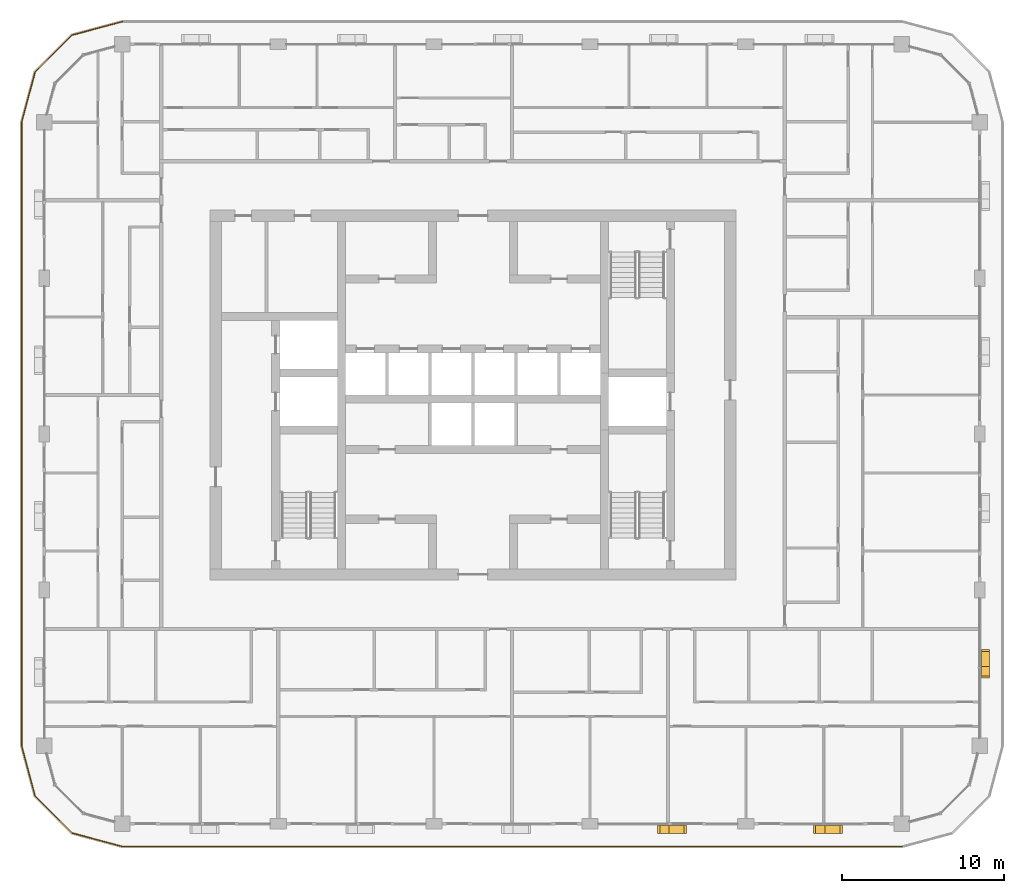
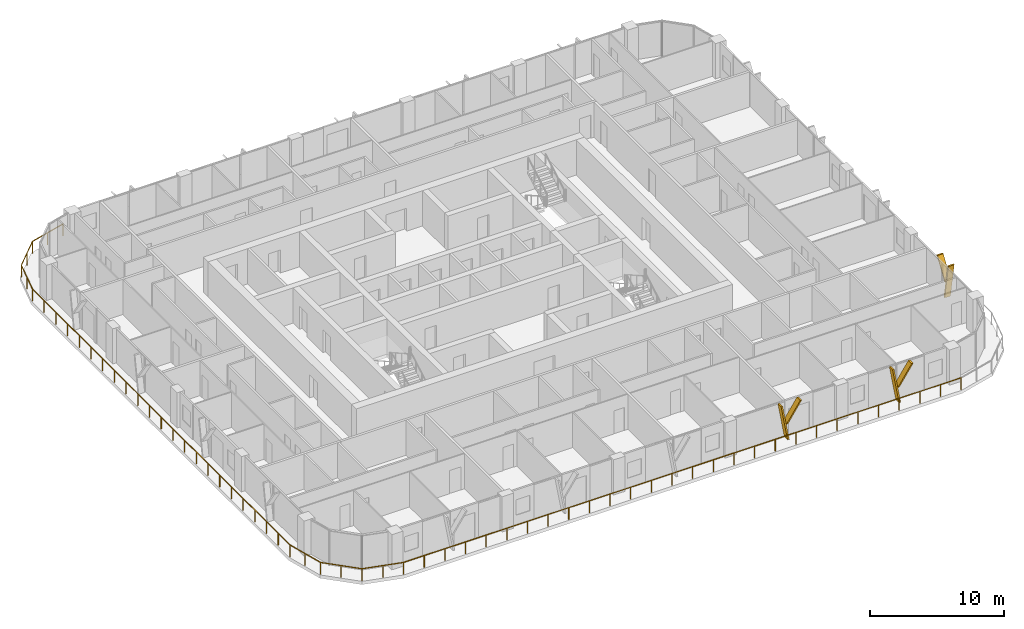
# One storey, part 18 of 21: 6 shading devices, 1 railing.
"""IFC4 building model written with IfcOpenShell, lengths in metres."""

import ifcopenshell
import ifcopenshell.guid

model = None  # the IFC model being written
_history = None  # IfcOwnerHistory: only IFC2X3 demands one
_inside = {}  # id of a spatial element -> (the spatial element, [elements in it])
_under = {}  # id of a project, library or spatial element -> (it, [spatial elements below it])
_declared = {}  # id of a project -> (the project, [libraries it declares])
_typed = {}  # id of a type object -> (the type object, [elements of that type])
_made_of = {}  # id of a material, layer set ... -> (it, [elements and type objects made of it])


def new_model(schema):
    """Start an empty IFC model of exactly this schema.

    Asked for "IFC4X3", IfcOpenShell would pick the latest addendum, in which some entities
    have other attributes; the version numbers below select the first issue.
    IFC2X3 requires an IfcOwnerHistory on every rooted entity: one is made here for all.
    """
    global model, _history
    if schema == "IFC4X3":
        model = ifcopenshell.file(schema_version=(4, 3, 0, 0))
    else:
        model = ifcopenshell.file(schema=schema)
    _inside.clear()
    _under.clear()
    _declared.clear()
    _typed.clear()
    _made_of.clear()
    _history = None
    if model.schema == "IFC2X3":
        org = make("IfcOrganization", Name="unknown")
        user = make(
            "IfcPersonAndOrganization",
            ThePerson=make("IfcPerson", FamilyName="unknown"),
            TheOrganization=org,
        )
        app = make(
            "IfcApplication",
            ApplicationDeveloper=org,
            Version="unknown",
            ApplicationFullName="unknown",
            ApplicationIdentifier="unknown",
        )
        _history = make(
            "IfcOwnerHistory",
            OwningUser=user,
            OwningApplication=app,
            ChangeAction="ADDED",
            CreationDate=0,
        )
    return model


def make(cls, **values):
    """One entity of the class cls with the attributes given. An attribute that is None is left unset."""
    return model.create_entity(
        cls, **{name: value for name, value in values.items() if value is not None}
    )


def rooted(cls, **values):
    """An entity with a GlobalId (a new one), such as an element, a storey or a relation."""
    return make(cls, GlobalId=ifcopenshell.guid.new(), OwnerHistory=_history, **values)


def si_unit(unit_type, name, prefix=None):
    """IfcSIUnit, for example si_unit("LENGTHUNIT", "METRE", prefix="MILLI")."""
    return make("IfcSIUnit", UnitType=unit_type, Prefix=prefix, Name=name)


def assignment(units):
    """IfcUnitAssignment: the units of a project."""
    return None if units is None else make("IfcUnitAssignment", Units=units)


def point(xyz):
    """IfcCartesianPoint."""
    return None if xyz is None else make("IfcCartesianPoint", Coordinates=xyz)


def direction(xyz):
    """IfcDirection."""
    return None if xyz is None else make("IfcDirection", DirectionRatios=xyz)


def frame(location, z_axis=None, x_axis=None):
    """IfcAxis2Placement3D, a coordinate frame: its origin and axes. An axis left out is left unset."""
    return make(
        "IfcAxis2Placement3D",
        Location=point(location),
        Axis=direction(z_axis),
        RefDirection=direction(x_axis),
    )


def frame_2d(location, x_axis=None):
    """IfcAxis2Placement2D, a coordinate frame in the plane: its origin and x axis."""
    return make(
        "IfcAxis2Placement2D", Location=point(location), RefDirection=direction(x_axis)
    )


def origin():
    """The frame at (0, 0, 0) with its axes left unset."""
    return frame((0.0, 0.0, 0.0))


def origin_2d():
    """The frame at (0, 0) in the plane with its x axis left unset."""
    return frame_2d((0.0, 0.0))


def place(relative_to, where):
    """IfcLocalPlacement: puts the frame where relative to a parent placement (None: the world)."""
    return make(
        "IfcLocalPlacement", PlacementRelTo=relative_to, RelativePlacement=where
    )


def context(
    kind, dimensions, precision=None, world=None, true_north=None, identifier=None
):
    """IfcGeometricRepresentationContext, for example the 3D "Model" context."""
    return make(
        "IfcGeometricRepresentationContext",
        ContextIdentifier=identifier,
        ContextType=kind,
        CoordinateSpaceDimension=dimensions,
        Precision=precision,
        WorldCoordinateSystem=world,
        TrueNorth=true_north,
    )


def subcontext(parent, identifier, kind, view, scale=None):
    """IfcGeometricRepresentationSubContext, for example "Body" below "Model"."""
    return make(
        "IfcGeometricRepresentationSubContext",
        ContextIdentifier=identifier,
        ContextType=kind,
        ParentContext=parent,
        TargetScale=scale,
        TargetView=view,
    )


def project(units=None, contexts=None):
    """IfcProject with its units and contexts."""
    return rooted(
        "IfcProject",
        Name="project",
        RepresentationContexts=contexts,
        UnitsInContext=assignment(units),
    )


def spatial(cls, under=None, at=None, **own):
    """A site, building, storey or space (cls), placed at a placement, below another one or the project."""
    s = rooted(cls, ObjectPlacement=at, **own)
    if under is not None:
        _under.setdefault(under.id(), (under, []))[1].append(s)
    return s


def polyline(points):
    """IfcPolyline through the points."""
    return make("IfcPolyline", Points=[point(p) for p in points])


def profile(cls, at=None, kind="AREA", **sizes):
    """A parametric profile (cls). Its sizes go by their IFC names, for example OverallWidth=200.0."""
    return make(cls, ProfileType=kind, Position=at, **sizes)


def circle(**sizes):
    """IfcCircleProfileDef."""
    return profile("IfcCircleProfileDef", **sizes)


def outline(outer, holes=None, kind="AREA"):
    """IfcArbitraryClosedProfileDef: a profile drawn as a closed curve; with holes, ...WithVoids."""
    if holes is None:
        return make("IfcArbitraryClosedProfileDef", ProfileType=kind, OuterCurve=outer)
    return make(
        "IfcArbitraryProfileDefWithVoids",
        ProfileType=kind,
        OuterCurve=outer,
        InnerCurves=holes,
    )


def extrude(swept, where, along, depth):
    """IfcExtrudedAreaSolid: the profile swept, set in the frame where, extruded along a direction by depth."""
    return make(
        "IfcExtrudedAreaSolid",
        SweptArea=swept,
        Position=where,
        ExtrudedDirection=direction(along),
        Depth=depth,
    )


def shape(context_of_items, identifier, shape_type, items):
    """IfcShapeRepresentation: the items that make up one representation, for example the "Body"."""
    return make(
        "IfcShapeRepresentation",
        ContextOfItems=context_of_items,
        RepresentationIdentifier=identifier,
        RepresentationType=shape_type,
        Items=items,
    )


def material(Name=None, Category=None):
    """IfcMaterial."""
    return make("IfcMaterial", Name=Name, Category=Category)


def made_of(thing, what):
    """Note that an element or type object is made of a material, layer set ...; save() writes the relation."""
    if what is not None:
        _made_of.setdefault(what.id(), (what, []))[1].append(thing)
    return thing


def type_object(cls, material=None, **own):
    """A type object (cls), such as IfcWallType, which elements share."""
    return made_of(rooted(cls, **own), material)


def element(
    cls,
    number,
    at=None,
    inside=None,
    cuts=None,
    type_object=None,
    material=None,
    context=None,
    identifier="Body",
    shape_type=None,
    held_by="IfcProductDefinitionShape",
    body=None,
    shapes=None,
    **own,
):
    """One element of the class cls, such as IfcWall. Its Tag is "e" and its number.

    at: its placement. inside: the storey or other place that contains it. cuts: it is an
    opening in that element (IfcRelVoidsElement). A single representation is given by context,
    identifier, shape_type and body (its items); several are given by shapes. held_by: the class
    of the entity that holds the representations. save() writes the other relations.
    """
    e = rooted(cls, Tag="e%d" % number, ObjectPlacement=at, **own)
    if body is not None:
        shapes = [shape(context, identifier, shape_type, body)]
    if shapes is not None:
        e.Representation = make(held_by, Representations=shapes)
    if inside is not None:
        _inside.setdefault(inside.id(), (inside, []))[1].append(e)
    if cuts is not None:
        rooted(
            "IfcRelVoidsElement", RelatingBuildingElement=cuts, RelatedOpeningElement=e
        )
    if type_object is not None:
        _typed.setdefault(type_object.id(), (type_object, []))[1].append(e)
    return made_of(e, material)


def aggregate(whole, parts):
    """IfcRelAggregates: a whole, such as a stair, and the parts it consists of."""
    return rooted("IfcRelAggregates", RelatingObject=whole, RelatedObjects=parts)


def save(model, path):
    """Write the relations noted so far, then the file.

    IfcRelAggregates (storeys below a building ...), IfcRelContainedInSpatialStructure (elements
    in a storey), IfcRelDefinesByType, IfcRelAssociatesMaterial and IfcRelDeclares: one each for
    every whole, place, type object, material and project.
    """
    for whole, parts in _under.values():
        aggregate(whole, parts)
    for where, things in _inside.values():
        rooted(
            "IfcRelContainedInSpatialStructure",
            RelatedElements=things,
            RelatingStructure=where,
        )
    for kind, things in _typed.values():
        rooted("IfcRelDefinesByType", RelatedObjects=things, RelatingType=kind)
    for what, things in _made_of.values():
        rooted("IfcRelAssociatesMaterial", RelatedObjects=things, RelatingMaterial=what)
    for by, libraries in _declared.values():
        rooted("IfcRelDeclares", RelatingContext=by, RelatedDefinitions=libraries)
    model.write(path)


model = new_model("IFC4")

# Units and contexts
model_context = context("Model", 3, precision=1e-05, world=origin(), true_north=direction((0.0, 1.0)))
body_context = subcontext(model_context, "Body", "Model", "MODEL_VIEW")
ifc_project = project(units=[si_unit("LENGTHUNIT", "METRE"), si_unit("AREAUNIT", "SQUARE_METRE"), si_unit("VOLUMEUNIT", "CUBIC_METRE"), si_unit("PLANEANGLEUNIT", "RADIAN"), si_unit("MASSUNIT", "GRAM", prefix="KILO")], contexts=[model_context])

# Site, building, storey
site_placement = place(None, origin())
site = spatial("IfcSite", under=ifc_project, at=site_placement, CompositionType="ELEMENT")
building_placement = place(site_placement, origin())
building = spatial("IfcBuilding", under=site, at=building_placement, Name="Madar Terraces", CompositionType="ELEMENT")
storey_placement = place(building_placement, frame((0.0, 0.0, 185.89990234375)))
storey = spatial("IfcBuildingStorey", under=building, at=storey_placement, Name="L48", CompositionType="ELEMENT", Elevation=185.89990234375)

# Railing
ifc_material_1 = material(Name="Glass, safety glazing, with stainless steel posts", Category="steel")
railing_type = type_object("IfcRailingType", Name="Balcony glass guard 1100", PredefinedType="GUARDRAIL", material=ifc_material_1)
railing_placement = place(storey_placement, frame((9.60009765625, 49.39990234375, 0.0)))
element("IfcRailing", 1, at=railing_placement, inside=storey, type_object=railing_type, Name="Balcony guard", PredefinedType="GUARDRAIL", context=body_context, shape_type="SweptSolid", body=[
    extrude(circle(Radius=0.02392578125, at=origin_2d()), frame((0.0, 0.0, 1.076171875), z_axis=(-0.9659337912, -0.258789317819, 0.0), x_axis=(0.258789317819, -0.9659337912, 0.0)), (0.0, 0.0, 1.0), 3.20947265625),
    extrude(circle(Radius=0.02392578125, at=origin_2d()), frame((-3.10009765625, -0.83056640625, 1.076171875), z_axis=(-0.707106781187, -0.707106781187, 0.0), x_axis=(0.707106781187, -0.707106781187, 0.0)), (0.0, 0.0, 1.0), 3.209228515625),
    extrude(circle(Radius=0.02392578125, at=origin_2d()), frame((-5.369384765625, -3.099853515625, 1.076171875), z_axis=(-0.258860290944, -0.965914773555, 0.0), x_axis=(0.965914773555, -0.258860290944, 0.0)), (0.0, 0.0, 1.0), 3.20947265625),
    extrude(circle(Radius=0.02392578125, at=origin_2d()), frame((-6.2001953125, -6.199951171875, 1.076171875), z_axis=(0.0, -1.0, 0.0), x_axis=(1.0, 0.0, 0.0)), (0.0, 0.0, 1.0), 38.39990234375),
    extrude(circle(Radius=0.02392578125, at=origin_2d()), frame((-6.2001953125, -44.599853515625, 1.076171875), z_axis=(0.258860290944, -0.965914773555, 0.0), x_axis=(0.965914773555, 0.258860290944, 0.0)), (0.0, 0.0, 1.0), 3.20947265625),
    extrude(circle(Radius=0.02392578125, at=origin_2d()), frame((-5.369384765625, -47.699951171875, 1.076171875), z_axis=(0.707106781187, -0.707106781187, 0.0), x_axis=(0.707106781187, 0.707106781187, 0.0)), (0.0, 0.0, 1.0), 3.209228515625),
    extrude(circle(Radius=0.02392578125, at=origin_2d()), frame((-3.10009765625, -49.96923828125, 1.076171875), z_axis=(0.9659337912, -0.258789317819, 0.0), x_axis=(0.258789317819, 0.9659337912, 0.0)), (0.0, 0.0, 1.0), 3.20947265625),
    extrude(circle(Radius=0.02392578125, at=origin_2d()), frame((0.0, -50.7998046875, 1.076171875), z_axis=(1.0, 0.0, 0.0), x_axis=(0.0, 1.0, 0.0)), (0.0, 0.0, 1.0), 48.0),
    extrude(circle(Radius=0.02099609375, at=origin_2d()), origin(), (0.0, 0.0, 1.0), 1.052001953125),
    extrude(circle(Radius=0.02099609375, at=origin_2d()), frame((-1.550048828125, -0.415283203125, 0.0)), (0.0, 0.0, 1.0), 1.052001953125),
    extrude(circle(Radius=0.02099609375, at=origin_2d()), frame((-3.10009765625, -0.83056640625, 0.0)), (0.0, 0.0, 1.0), 1.052001953125),
    extrude(circle(Radius=0.02099609375, at=origin_2d()), frame((-4.23486328125, -1.96533203125, 0.0)), (0.0, 0.0, 1.0), 1.052001953125),
    extrude(circle(Radius=0.02099609375, at=origin_2d()), frame((-5.369384765625, -3.099853515625, 0.0)), (0.0, 0.0, 1.0), 1.052001953125),
    extrude(circle(Radius=0.02099609375, at=origin_2d()), frame((-5.78466796875, -4.64990234375, 0.0)), (0.0, 0.0, 1.0), 1.052001953125),
    extrude(circle(Radius=0.02099609375, at=origin_2d()), frame((-6.2001953125, -6.199951171875, 0.0)), (0.0, 0.0, 1.0), 1.052001953125),
    extrude(circle(Radius=0.02099609375, at=origin_2d()), frame((-6.2001953125, -7.9453125, 0.0)), (0.0, 0.0, 1.0), 1.052001953125),
    extrude(circle(Radius=0.02099609375, at=origin_2d()), frame((-6.2001953125, -9.69091796875, 0.0)), (0.0, 0.0, 1.0), 1.052001953125),
    extrude(circle(Radius=0.02099609375, at=origin_2d()), frame((-6.2001953125, -11.436279296875, 0.0)), (0.0, 0.0, 1.0), 1.052001953125),
    extrude(circle(Radius=0.02099609375, at=origin_2d()), frame((-6.2001953125, -13.181640625, 0.0)), (0.0, 0.0, 1.0), 1.052001953125),
    extrude(circle(Radius=0.02099609375, at=origin_2d()), frame((-6.2001953125, -14.92724609375, 0.0)), (0.0, 0.0, 1.0), 1.052001953125),
    extrude(circle(Radius=0.02099609375, at=origin_2d()), frame((-6.2001953125, -16.672607421875, 0.0)), (0.0, 0.0, 1.0), 1.052001953125),
    extrude(circle(Radius=0.02099609375, at=origin_2d()), frame((-6.2001953125, -18.418212890625, 0.0)), (0.0, 0.0, 1.0), 1.052001953125),
    extrude(circle(Radius=0.02099609375, at=origin_2d()), frame((-6.2001953125, -20.16357421875, 0.0)), (0.0, 0.0, 1.0), 1.052001953125),
    extrude(circle(Radius=0.02099609375, at=origin_2d()), frame((-6.2001953125, -21.908935546875, 0.0)), (0.0, 0.0, 1.0), 1.052001953125),
    extrude(circle(Radius=0.02099609375, at=origin_2d()), frame((-6.2001953125, -23.654541015625, 0.0)), (0.0, 0.0, 1.0), 1.052001953125),
    extrude(circle(Radius=0.02099609375, at=origin_2d()), frame((-6.2001953125, -25.39990234375, 0.0)), (0.0, 0.0, 1.0), 1.052001953125),
    extrude(circle(Radius=0.02099609375, at=origin_2d()), frame((-6.2001953125, -27.145263671875, 0.0)), (0.0, 0.0, 1.0), 1.052001953125),
    extrude(circle(Radius=0.02099609375, at=origin_2d()), frame((-6.2001953125, -28.890869140625, 0.0)), (0.0, 0.0, 1.0), 1.052001953125),
    extrude(circle(Radius=0.02099609375, at=origin_2d()), frame((-6.2001953125, -30.63623046875, 0.0)), (0.0, 0.0, 1.0), 1.052001953125),
    extrude(circle(Radius=0.02099609375, at=origin_2d()), frame((-6.2001953125, -32.381591796875, 0.0)), (0.0, 0.0, 1.0), 1.052001953125),
    extrude(circle(Radius=0.02099609375, at=origin_2d()), frame((-6.2001953125, -34.127197265625, 0.0)), (0.0, 0.0, 1.0), 1.052001953125),
    extrude(circle(Radius=0.02099609375, at=origin_2d()), frame((-6.2001953125, -35.87255859375, 0.0)), (0.0, 0.0, 1.0), 1.052001953125),
    extrude(circle(Radius=0.02099609375, at=origin_2d()), frame((-6.2001953125, -37.6181640625, 0.0)), (0.0, 0.0, 1.0), 1.052001953125),
    extrude(circle(Radius=0.02099609375, at=origin_2d()), frame((-6.2001953125, -39.363525390625, 0.0)), (0.0, 0.0, 1.0), 1.052001953125),
    extrude(circle(Radius=0.02099609375, at=origin_2d()), frame((-6.2001953125, -41.10888671875, 0.0)), (0.0, 0.0, 1.0), 1.052001953125),
    extrude(circle(Radius=0.02099609375, at=origin_2d()), frame((-6.2001953125, -42.8544921875, 0.0)), (0.0, 0.0, 1.0), 1.052001953125),
    extrude(circle(Radius=0.02099609375, at=origin_2d()), frame((-6.2001953125, -44.599853515625, 0.0)), (0.0, 0.0, 1.0), 1.052001953125),
    extrude(circle(Radius=0.02099609375, at=origin_2d()), frame((-5.78466796875, -46.14990234375, 0.0)), (0.0, 0.0, 1.0), 1.052001953125),
    extrude(circle(Radius=0.02099609375, at=origin_2d()), frame((-5.369384765625, -47.699951171875, 0.0)), (0.0, 0.0, 1.0), 1.052001953125),
    extrude(circle(Radius=0.02099609375, at=origin_2d()), frame((-4.23486328125, -48.83447265625, 0.0)), (0.0, 0.0, 1.0), 1.052001953125),
    extrude(circle(Radius=0.02099609375, at=origin_2d()), frame((-3.10009765625, -49.96923828125, 0.0)), (0.0, 0.0, 1.0), 1.052001953125),
    extrude(circle(Radius=0.02099609375, at=origin_2d()), frame((-1.550048828125, -50.384521484375, 0.0)), (0.0, 0.0, 1.0), 1.052001953125),
    extrude(circle(Radius=0.02099609375, at=origin_2d()), frame((0.0, -50.7998046875, 0.0)), (0.0, 0.0, 1.0), 1.052001953125),
    extrude(circle(Radius=0.02099609375, at=origin_2d()), frame((1.77783203125, -50.7998046875, 0.0)), (0.0, 0.0, 1.0), 1.052001953125),
    extrude(circle(Radius=0.02099609375, at=origin_2d()), frame((3.5556640625, -50.7998046875, 0.0)), (0.0, 0.0, 1.0), 1.052001953125),
    extrude(circle(Radius=0.02099609375, at=origin_2d()), frame((5.333251953125, -50.7998046875, 0.0)), (0.0, 0.0, 1.0), 1.052001953125),
    extrude(circle(Radius=0.02099609375, at=origin_2d()), frame((7.111083984375, -50.7998046875, 0.0)), (0.0, 0.0, 1.0), 1.052001953125),
    extrude(circle(Radius=0.02099609375, at=origin_2d()), frame((8.888916015625, -50.7998046875, 0.0)), (0.0, 0.0, 1.0), 1.052001953125),
    extrude(circle(Radius=0.02099609375, at=origin_2d()), frame((10.666748046875, -50.7998046875, 0.0)), (0.0, 0.0, 1.0), 1.052001953125),
    extrude(circle(Radius=0.02099609375, at=origin_2d()), frame((12.4443359375, -50.7998046875, 0.0)), (0.0, 0.0, 1.0), 1.052001953125),
    extrude(circle(Radius=0.02099609375, at=origin_2d()), frame((14.22216796875, -50.7998046875, 0.0)), (0.0, 0.0, 1.0), 1.052001953125),
    extrude(circle(Radius=0.02099609375, at=origin_2d()), frame((16.0, -50.7998046875, 0.0)), (0.0, 0.0, 1.0), 1.052001953125),
    extrude(circle(Radius=0.02099609375, at=origin_2d()), frame((17.77783203125, -50.7998046875, 0.0)), (0.0, 0.0, 1.0), 1.052001953125),
    extrude(circle(Radius=0.02099609375, at=origin_2d()), frame((19.5556640625, -50.7998046875, 0.0)), (0.0, 0.0, 1.0), 1.052001953125),
    extrude(circle(Radius=0.02099609375, at=origin_2d()), frame((21.333251953125, -50.7998046875, 0.0)), (0.0, 0.0, 1.0), 1.052001953125),
    extrude(circle(Radius=0.02099609375, at=origin_2d()), frame((23.111083984375, -50.7998046875, 0.0)), (0.0, 0.0, 1.0), 1.052001953125),
    extrude(circle(Radius=0.02099609375, at=origin_2d()), frame((24.888916015625, -50.7998046875, 0.0)), (0.0, 0.0, 1.0), 1.052001953125),
    extrude(circle(Radius=0.02099609375, at=origin_2d()), frame((26.666748046875, -50.7998046875, 0.0)), (0.0, 0.0, 1.0), 1.052001953125),
    extrude(circle(Radius=0.02099609375, at=origin_2d()), frame((28.4443359375, -50.7998046875, 0.0)), (0.0, 0.0, 1.0), 1.052001953125),
    extrude(circle(Radius=0.02099609375, at=origin_2d()), frame((30.22216796875, -50.7998046875, 0.0)), (0.0, 0.0, 1.0), 1.052001953125),
    extrude(circle(Radius=0.02099609375, at=origin_2d()), frame((32.0, -50.7998046875, 0.0)), (0.0, 0.0, 1.0), 1.052001953125),
    extrude(circle(Radius=0.02099609375, at=origin_2d()), frame((33.77783203125, -50.7998046875, 0.0)), (0.0, 0.0, 1.0), 1.052001953125),
    extrude(circle(Radius=0.02099609375, at=origin_2d()), frame((35.5556640625, -50.7998046875, 0.0)), (0.0, 0.0, 1.0), 1.052001953125),
    extrude(circle(Radius=0.02099609375, at=origin_2d()), frame((37.333251953125, -50.7998046875, 0.0)), (0.0, 0.0, 1.0), 1.052001953125),
    extrude(circle(Radius=0.02099609375, at=origin_2d()), frame((39.111083984375, -50.7998046875, 0.0)), (0.0, 0.0, 1.0), 1.052001953125),
    extrude(circle(Radius=0.02099609375, at=origin_2d()), frame((40.888916015625, -50.7998046875, 0.0)), (0.0, 0.0, 1.0), 1.052001953125),
    extrude(circle(Radius=0.02099609375, at=origin_2d()), frame((42.666748046875, -50.7998046875, 0.0)), (0.0, 0.0, 1.0), 1.052001953125),
    extrude(circle(Radius=0.02099609375, at=origin_2d()), frame((44.4443359375, -50.7998046875, 0.0)), (0.0, 0.0, 1.0), 1.052001953125),
    extrude(circle(Radius=0.02099609375, at=origin_2d()), frame((46.22216796875, -50.7998046875, 0.0)), (0.0, 0.0, 1.0), 1.052001953125),
    extrude(circle(Radius=0.02099609375, at=origin_2d()), frame((48.0, -50.7998046875, 0.0)), (0.0, 0.0, 1.0), 1.052001953125),
])

# Shading devices
ifc_material_2 = material(Name="Aluminium, black anodised", Category="aluminium")
shading_device_type = type_object("IfcShadingDeviceType", Name="Facade fin blade 140 x 500", PredefinedType="USERDEFINED", material=ifc_material_2)
shading_device_1_placement = place(storey_placement, frame((43.1298828125, -0.35009765625, 0.0), z_axis=(0.0, 0.0, 1.0), x_axis=(1.0, 0.0, 0.0)))
element("IfcShadingDevice", 2, at=shading_device_1_placement, inside=storey, type_object=shading_device_type, Name="FIN L48 S4", ObjectType="FIN", PredefinedType="USERDEFINED", context=body_context, shape_type="SweptSolid", body=[
    extrude(outline(polyline([(0.0, 0.0), (0.14013671875, 0.0), (-0.42431640625, 3.2001953125), (-0.564208984375, 3.2001953125), (0.0, 0.0)])), frame((0.0, 0.25, 0.0), z_axis=(0.0, -1.0, 0.0), x_axis=(1.0, 0.0, 0.0)), (0.0, 0.0, 1.0), 0.5),
])
shading_device_2_placement = place(storey_placement, frame((43.01611328125, -0.35009765625, 1.440185546875), z_axis=(0.0, 0.0, 1.0), x_axis=(1.0, 0.0, 0.0)))
element("IfcShadingDevice", 3, at=shading_device_2_placement, inside=storey, type_object=shading_device_type, Name="FIN L48 S4 branch", ObjectType="FIN", PredefinedType="USERDEFINED", context=body_context, shape_type="SweptSolid", body=[
    extrude(outline(polyline([(0.0, 0.0), (0.139892578125, 0.0), (1.32958984375, 1.760009765625), (1.189697265625, 1.760009765625), (0.0, 0.0)])), frame((0.0, 0.25, 0.0), z_axis=(0.0, -1.0, 0.0), x_axis=(1.0, 0.0, 0.0)), (0.0, 0.0, 1.0), 0.5),
])
shading_device_3_placement = place(storey_placement, frame((52.72998046875, -0.35009765625, 0.0), z_axis=(0.0, 0.0, 1.0), x_axis=(1.0, 0.0, 0.0)))
element("IfcShadingDevice", 4, at=shading_device_3_placement, inside=storey, type_object=shading_device_type, Name="FIN L48 S5", ObjectType="FIN", PredefinedType="USERDEFINED", context=body_context, shape_type="SweptSolid", body=[
    extrude(outline(polyline([(0.0, 0.0), (0.14013671875, 0.0), (-0.42431640625, 3.2001953125), (-0.564208984375, 3.2001953125), (0.0, 0.0)])), frame((0.0, 0.25, 0.0), z_axis=(0.0, -1.0, 0.0), x_axis=(1.0, 0.0, 0.0)), (0.0, 0.0, 1.0), 0.5),
])
shading_device_4_placement = place(storey_placement, frame((52.6162109375, -0.35009765625, 1.440185546875), z_axis=(0.0, 0.0, 1.0), x_axis=(1.0, 0.0, 0.0)))
element("IfcShadingDevice", 5, at=shading_device_4_placement, inside=storey, type_object=shading_device_type, Name="FIN L48 S5 branch", ObjectType="FIN", PredefinedType="USERDEFINED", context=body_context, shape_type="SweptSolid", body=[
    extrude(outline(polyline([(0.0, 0.0), (0.139892578125, 0.0), (1.32958984375, 1.760009765625), (1.189697265625, 1.760009765625), (0.0, 0.0)])), frame((0.0, 0.25, 0.0), z_axis=(0.0, -1.0, 0.0), x_axis=(1.0, 0.0, 0.0)), (0.0, 0.0, 1.0), 0.5),
])
shading_device_5_placement = place(storey_placement, frame((62.75, 9.530029296875, 0.0), z_axis=(0.0, 0.0, 1.0), x_axis=(0.0, 1.0, 0.0)))
element("IfcShadingDevice", 6, at=shading_device_5_placement, inside=storey, type_object=shading_device_type, Name="FIN L48 E1", ObjectType="FIN", PredefinedType="USERDEFINED", context=body_context, shape_type="SweptSolid", body=[
    extrude(outline(polyline([(0.0, 0.0), (0.139892578125, 0.0), (-0.42431640625, 3.2001953125), (-0.564208984375, 3.2001953125), (0.0, 0.0)])), frame((0.0, 0.25, 0.0), z_axis=(0.0, -1.0, 0.0), x_axis=(1.0, 0.0, 0.0)), (0.0, 0.0, 1.0), 0.5),
])
shading_device_6_placement = place(storey_placement, frame((62.75, 9.416015625, 1.440185546875), z_axis=(0.0, 0.0, 1.0), x_axis=(0.0, 1.0, 0.0)))
element("IfcShadingDevice", 7, at=shading_device_6_placement, inside=storey, type_object=shading_device_type, Name="FIN L48 E1 branch", ObjectType="FIN", PredefinedType="USERDEFINED", context=body_context, shape_type="SweptSolid", body=[
    extrude(outline(polyline([(0.0, 0.0), (0.14013671875, 0.0), (1.32958984375, 1.760009765625), (1.189697265625, 1.760009765625), (0.0, 0.0)])), frame((0.0, 0.25, 0.0), z_axis=(0.0, -1.0, 0.0), x_axis=(1.0, 0.0, 0.0)), (0.0, 0.0, 1.0), 0.5),
])

save(model, "model.ifc")
